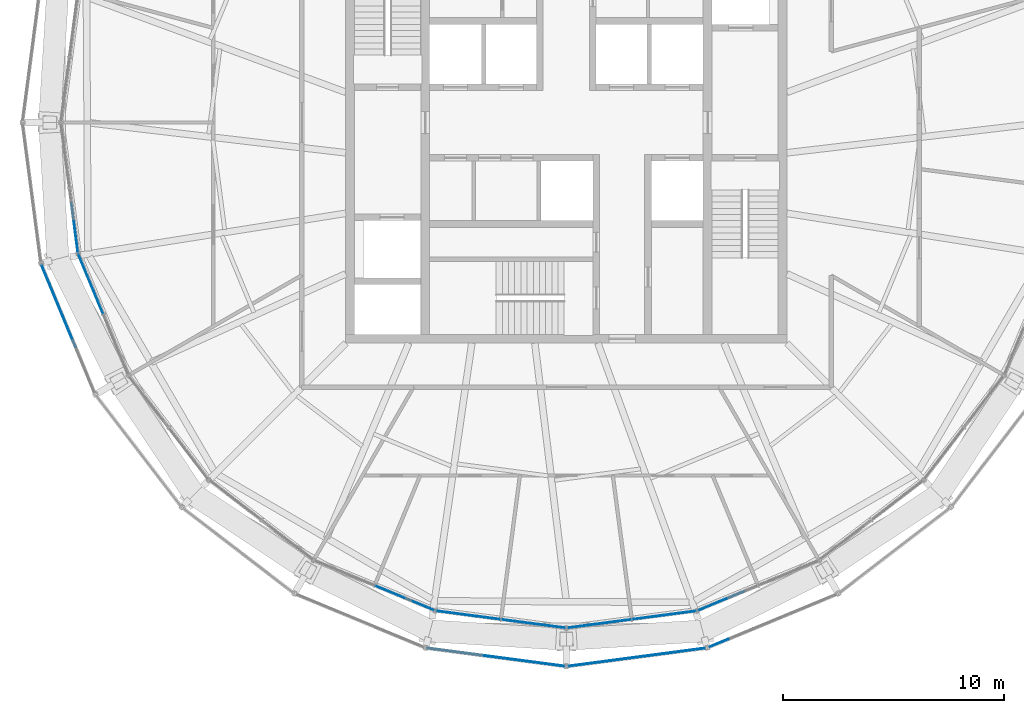
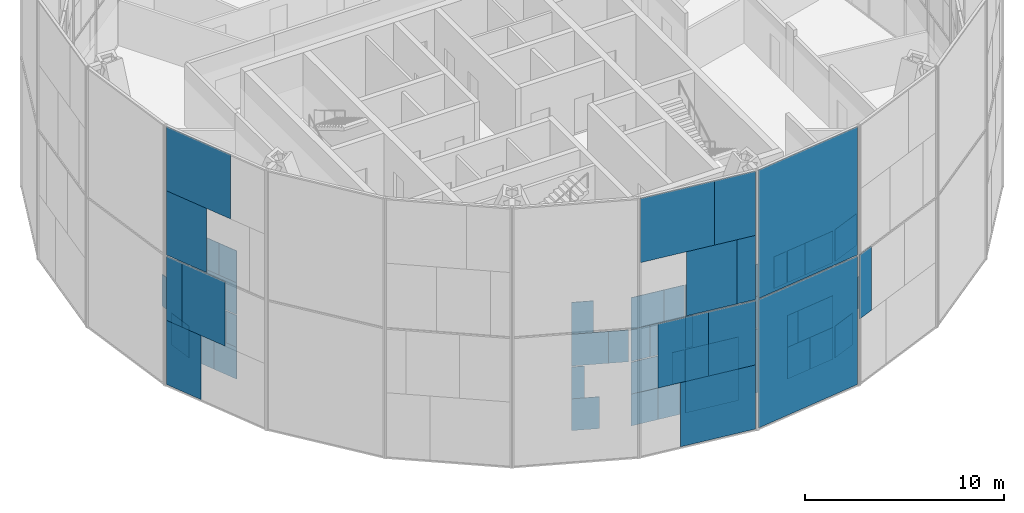
# One storey, part 11 of 23: 61 plates, 10 elements without a shape of their own.
"""IFC4 building model written with IfcOpenShell, lengths in metres."""

from ifc_helpers import new_model, si_unit, direction, frame, origin, origin_2d, place, context, subcontext, project, spatial, rectangle, extrude, material, layer, layer_set, type_object, element, aggregate, save


model = new_model("IFC4")

# Units and contexts
model_context = context("Model", 3, precision=1e-05, world=origin(), true_north=direction((0.0, 1.0)))
body_context = subcontext(model_context, "Body", "Model", "MODEL_VIEW")
ifc_project = project(units=[si_unit("LENGTHUNIT", "METRE"), si_unit("AREAUNIT", "SQUARE_METRE"), si_unit("VOLUMEUNIT", "CUBIC_METRE"), si_unit("PLANEANGLEUNIT", "RADIAN"), si_unit("MASSUNIT", "GRAM", prefix="KILO")], contexts=[model_context])

# Site, building, storey
site_placement = place(None, origin())
site = spatial("IfcSite", under=ifc_project, at=site_placement, CompositionType="ELEMENT")
building_placement = place(site_placement, origin())
building = spatial("IfcBuilding", under=site, at=building_placement, Name="Golbaran Civic Tower", CompositionType="ELEMENT")
storey_placement = place(building_placement, frame((0.0, 0.0, 232.0)))
storey = spatial("IfcBuildingStorey", under=building, at=storey_placement, Name="L56", CompositionType="ELEMENT", Elevation=232.0)

# Curtain wall, plate
ifc_material_1 = material(Name="Aluminium and glass", Category="aluminium")
curtain_wall_type_1 = type_object("IfcCurtainWallType", Name="INNER SKIN CURTAIN WALL EXECUTIVE", PredefinedType="NOTDEFINED", material=ifc_material_1)
curtain_wall_1_placement = place(storey_placement, origin())
curtain_wall_1 = element("IfcCurtainWall", 1, at=curtain_wall_1_placement, inside=storey, type_object=curtain_wall_type_1, Name="Inner skin L56 facet 13 CW2", ObjectType="INNER SKIN", PredefinedType="USERDEFINED")
ifc_material_2 = material(Name="Clear insulating glass", Category="glass")
ifc_layer_1 = layer(ifc_material_2, 0.031982421875, Name="Clear insulating glass")
ifc_layer_set_1 = layer_set([ifc_layer_1], Name="Clear insulating glass")
plate_type_1 = type_object("IfcPlateType", Name="INNER SKIN CURTAIN WALL EXECUTIVE GLAZED PANEL", PredefinedType="CURTAIN_PANEL", material=ifc_layer_set_1)
plate_1_placement = place(storey_placement, frame((-22.207763671875, -5.357421875, 4.030029296875), z_axis=(0.0, 0.0, 1.0), x_axis=(0.130526192185, -0.991444861378, 0.0)))
plate_1 = element("IfcPlate", 2, at=plate_1_placement, type_object=plate_type_1, Name="CW2 panel 2.2 part 2", PredefinedType="CURTAIN_PANEL", context=body_context, shape_type="SweptSolid", body=[
    extrude(rectangle(XDim=1.03564453125, YDim=0.031982421875, at=origin_2d()), origin(), (0.0, 0.0, 1.0), 1.955078125),
])

# Curtain wall, plates
curtain_wall_2_placement = place(storey_placement, origin())
curtain_wall_2 = element("IfcCurtainWall", 3, at=curtain_wall_2_placement, inside=storey, type_object=curtain_wall_type_1, Name="Inner skin L56 facet 14 CW2", ObjectType="INNER SKIN", PredefinedType="USERDEFINED")
plate_2_placement = place(storey_placement, frame((-21.271484375, -8.008544921875, 0.06005859375), z_axis=(0.0, 0.0, 1.0), x_axis=(0.382683432365, -0.923879532511, 0.0)))
plate_2 = element("IfcPlate", 4, at=plate_2_placement, type_object=plate_type_1, Name="CW2 panel 1.1 part 2", PredefinedType="CURTAIN_PANEL", context=body_context, shape_type="SweptSolid", body=[
    extrude(rectangle(XDim=1.4228515625, YDim=0.031982421875, at=origin_2d()), origin(), (0.0, 0.0, 1.0), 1.955078125),
])
plate_3_placement = place(storey_placement, frame((-21.127197265625, -8.356689453125, 2.014892578125), z_axis=(0.0, 0.0, 1.0), x_axis=(0.382683432365, -0.923879532511, 0.0)))
plate_3 = element("IfcPlate", 5, at=plate_3_placement, type_object=plate_type_1, Name="CW2 panel 1.1 part 4", PredefinedType="CURTAIN_PANEL", context=body_context, shape_type="SweptSolid", body=[
    extrude(rectangle(XDim=0.668701171875, YDim=0.031982421875, at=origin_2d()), origin(), (0.0, 0.0, 1.0), 1.955078125),
])
plate_4_placement = place(storey_placement, frame((-21.911376953125, -6.4638671875, 4.030029296875), z_axis=(0.0, 0.0, 1.0), x_axis=(0.382683432365, -0.923879532511, 0.0)))
plate_4 = element("IfcPlate", 6, at=plate_4_placement, type_object=plate_type_1, Name="CW2 panel 1.2 part 1", PredefinedType="CURTAIN_PANEL", context=body_context, shape_type="SweptSolid", body=[
    extrude(rectangle(XDim=1.034912109375, YDim=0.031982421875, at=origin_2d()), origin(), (0.0, 0.0, 1.0), 1.955078125),
])
plate_5_placement = place(storey_placement, frame((-21.76708984375, -6.812255859375, 5.98486328125), z_axis=(0.0, 0.0, 1.0), x_axis=(0.382683432365, -0.923879532511, 0.0)))
plate_5 = element("IfcPlate", 7, at=plate_5_placement, type_object=plate_type_1, Name="CW2 panel 1.2 part 3", PredefinedType="CURTAIN_PANEL", context=body_context, shape_type="SweptSolid", body=[
    extrude(rectangle(XDim=1.7890625, YDim=0.031982421875, at=origin_2d()), origin(), (0.0, 0.0, 1.0), 1.955078125),
])

curtain_wall_3_placement = place(storey_placement, origin())
curtain_wall_3 = element("IfcCurtainWall", 8, at=curtain_wall_3_placement, inside=storey, type_object=curtain_wall_type_1, Name="Inner skin L56 facet 17 CW2", ObjectType="INNER SKIN", PredefinedType="USERDEFINED")
plate_6_placement = place(storey_placement, frame((-8.00830078125, -21.271484375, 0.06005859375), z_axis=(0.0, 0.0, 1.0), x_axis=(0.923879532511, -0.382683432365, 0.0)))
plate_6 = element("IfcPlate", 9, at=plate_6_placement, type_object=plate_type_1, Name="CW2 panel 2.1 part 1", PredefinedType="CURTAIN_PANEL", context=body_context, shape_type="SweptSolid", body=[
    extrude(rectangle(XDim=1.423095703125, YDim=0.031982421875, at=origin_2d()), origin(), (0.0, 0.0, 1.0), 1.955078125),
])
plate_7_placement = place(storey_placement, frame((-8.356689453125, -21.127197265625, 2.014892578125), z_axis=(0.0, 0.0, 1.0), x_axis=(0.923879532511, -0.382683432365, 0.0)))
plate_7 = element("IfcPlate", 10, at=plate_7_placement, type_object=plate_type_1, Name="CW2 panel 2.1 part 3", PredefinedType="CURTAIN_PANEL", context=body_context, shape_type="SweptSolid", body=[
    extrude(rectangle(XDim=0.6689453125, YDim=0.031982421875, at=origin_2d()), origin(), (0.0, 0.0, 1.0), 1.955078125),
])
plate_8_placement = place(storey_placement, frame((-6.464111328125, -21.9111328125, 4.030029296875), z_axis=(0.0, 0.0, 1.0), x_axis=(0.923879532511, -0.382683432365, 0.0)))
plate_8 = element("IfcPlate", 11, at=plate_8_placement, type_object=plate_type_1, Name="CW2 panel 2.2 part 2", PredefinedType="CURTAIN_PANEL", context=body_context, shape_type="SweptSolid", body=[
    extrude(rectangle(XDim=1.03564453125, YDim=0.031982421875, at=origin_2d()), origin(), (0.0, 0.0, 1.0), 1.955078125),
])

curtain_wall_4_placement = place(storey_placement, origin())
curtain_wall_4 = element("IfcCurtainWall", 12, at=curtain_wall_4_placement, inside=storey, type_object=curtain_wall_type_1, Name="Inner skin L56 facet 18 CW2", ObjectType="INNER SKIN", PredefinedType="USERDEFINED")
plate_9_placement = place(storey_placement, frame((-3.7001953125, -22.42578125, 0.06005859375), z_axis=(0.0, 0.0, 1.0), x_axis=(0.991444861378, -0.130526192185, 0.0)))
plate_9 = element("IfcPlate", 13, at=plate_9_placement, type_object=plate_type_1, Name="CW2 panel 1.1 part 2", PredefinedType="CURTAIN_PANEL", context=body_context, shape_type="SweptSolid", body=[
    extrude(rectangle(XDim=1.4228515625, YDim=0.031982421875, at=origin_2d()), origin(), (0.0, 0.0, 1.0), 1.955078125),
])
plate_10_placement = place(storey_placement, frame((-3.326416015625, -22.47509765625, 2.014892578125), z_axis=(0.0, 0.0, 1.0), x_axis=(0.991444861378, -0.130526192185, 0.0)))
plate_10 = element("IfcPlate", 14, at=plate_10_placement, type_object=plate_type_1, Name="CW2 panel 1.1 part 4", PredefinedType="CURTAIN_PANEL", context=body_context, shape_type="SweptSolid", body=[
    extrude(rectangle(XDim=0.668701171875, YDim=0.031982421875, at=origin_2d()), origin(), (0.0, 0.0, 1.0), 1.955078125),
])
plate_11_placement = place(storey_placement, frame((-5.357666015625, -22.20751953125, 4.030029296875), z_axis=(0.0, 0.0, 1.0), x_axis=(0.991444861378, -0.130526192185, 0.0)))
plate_11 = element("IfcPlate", 15, at=plate_11_placement, type_object=plate_type_1, Name="CW2 panel 1.2 part 1", PredefinedType="CURTAIN_PANEL", context=body_context, shape_type="SweptSolid", body=[
    extrude(rectangle(XDim=1.034912109375, YDim=0.031982421875, at=origin_2d()), origin(), (0.0, 0.0, 1.0), 1.955078125),
])
plate_12_placement = place(storey_placement, frame((-4.98388671875, -22.2568359375, 5.98486328125), z_axis=(0.0, 0.0, 1.0), x_axis=(0.991444861378, -0.130526192185, 0.0)))
plate_12 = element("IfcPlate", 16, at=plate_12_placement, type_object=plate_type_1, Name="CW2 panel 1.2 part 3", PredefinedType="CURTAIN_PANEL", context=body_context, shape_type="SweptSolid", body=[
    extrude(rectangle(XDim=1.7890625, YDim=0.031982421875, at=origin_2d()), origin(), (0.0, 0.0, 1.0), 1.955078125),
])
plate_13_placement = place(storey_placement, frame((-1.49755859375, -22.7158203125, 0.06005859375), z_axis=(0.0, 0.0, 1.0), x_axis=(0.991444861378, -0.130526192185, 0.0)))
plate_13 = element("IfcPlate", 17, at=plate_13_placement, type_object=plate_type_1, Name="CW2 panel 2.1", PredefinedType="CURTAIN_PANEL", context=body_context, shape_type="SweptSolid", body=[
    extrude(rectangle(XDim=2.900634765625, YDim=0.031982421875, at=origin_2d()), origin(), (0.0, 0.0, 1.0), 3.909912109375),
])
plate_14_placement = place(storey_placement, frame((-1.299072265625, -22.741943359375, 4.030029296875), z_axis=(0.0, 0.0, 1.0), x_axis=(0.991444861378, -0.130526192185, 0.0)))
plate_14 = element("IfcPlate", 18, at=plate_14_placement, type_object=plate_type_1, Name="CW2 panel 2.2 part 2", PredefinedType="CURTAIN_PANEL", context=body_context, shape_type="SweptSolid", body=[
    extrude(rectangle(XDim=2.500732421875, YDim=0.031982421875, at=origin_2d()), origin(), (0.0, 0.0, 1.0), 1.955078125),
])
plate_15_placement = place(storey_placement, frame((-1.099853515625, -22.768310546875, 5.98486328125), z_axis=(0.0, 0.0, 1.0), x_axis=(0.991444861378, -0.130526192185, 0.0)))
plate_15 = element("IfcPlate", 19, at=plate_15_placement, type_object=plate_type_1, Name="CW2 panel 2.2 part 4", PredefinedType="CURTAIN_PANEL", context=body_context, shape_type="SweptSolid", body=[
    extrude(rectangle(XDim=2.0986328125, YDim=0.031982421875, at=origin_2d()), origin(), (0.0, 0.0, 1.0), 1.955078125),
])

curtain_wall_5_placement = place(storey_placement, origin())
curtain_wall_5 = element("IfcCurtainWall", 20, at=curtain_wall_5_placement, inside=storey, type_object=curtain_wall_type_1, Name="Inner skin L56 facet 19 CW2", ObjectType="INNER SKIN", PredefinedType="USERDEFINED")
plate_16_placement = place(storey_placement, frame((1.49755859375, -22.7158203125, 0.06005859375), z_axis=(0.0, 0.0, 1.0), x_axis=(0.991444861378, 0.130526192185, 0.0)))
plate_16 = element("IfcPlate", 21, at=plate_16_placement, type_object=plate_type_1, Name="CW2 panel 1.1", PredefinedType="CURTAIN_PANEL", context=body_context, shape_type="SweptSolid", body=[
    extrude(rectangle(XDim=2.900634765625, YDim=0.031982421875, at=origin_2d()), origin(), (0.0, 0.0, 1.0), 3.909912109375),
])
plate_17_placement = place(storey_placement, frame((1.29833984375, -22.7421875, 4.030029296875), z_axis=(0.0, 0.0, 1.0), x_axis=(0.991444861378, 0.130526192185, 0.0)))
plate_17 = element("IfcPlate", 22, at=plate_17_placement, type_object=plate_type_1, Name="CW2 panel 1.2 part 1", PredefinedType="CURTAIN_PANEL", context=body_context, shape_type="SweptSolid", body=[
    extrude(rectangle(XDim=2.4990234375, YDim=0.031982421875, at=origin_2d()), origin(), (0.0, 0.0, 1.0), 1.955078125),
])
plate_18_placement = place(storey_placement, frame((1.099609375, -22.768310546875, 5.98486328125), z_axis=(0.0, 0.0, 1.0), x_axis=(0.991444861378, 0.130526192185, 0.0)))
plate_18 = element("IfcPlate", 23, at=plate_18_placement, type_object=plate_type_1, Name="CW2 panel 1.2 part 3", PredefinedType="CURTAIN_PANEL", context=body_context, shape_type="SweptSolid", body=[
    extrude(rectangle(XDim=2.097900390625, YDim=0.031982421875, at=origin_2d()), origin(), (0.0, 0.0, 1.0), 1.955078125),
])
plate_19_placement = place(storey_placement, frame((3.7001953125, -22.42578125, 0.06005859375), z_axis=(0.0, 0.0, 1.0), x_axis=(0.991444861378, 0.130526192185, 0.0)))
plate_19 = element("IfcPlate", 24, at=plate_19_placement, type_object=plate_type_1, Name="CW2 panel 2.1 part 1", PredefinedType="CURTAIN_PANEL", context=body_context, shape_type="SweptSolid", body=[
    extrude(rectangle(XDim=1.423095703125, YDim=0.031982421875, at=origin_2d()), origin(), (0.0, 0.0, 1.0), 1.955078125),
])
plate_20_placement = place(storey_placement, frame((3.32666015625, -22.47509765625, 2.014892578125), z_axis=(0.0, 0.0, 1.0), x_axis=(0.991444861378, 0.130526192185, 0.0)))
plate_20 = element("IfcPlate", 25, at=plate_20_placement, type_object=plate_type_1, Name="CW2 panel 2.1 part 3", PredefinedType="CURTAIN_PANEL", context=body_context, shape_type="SweptSolid", body=[
    extrude(rectangle(XDim=0.6689453125, YDim=0.031982421875, at=origin_2d()), origin(), (0.0, 0.0, 1.0), 1.955078125),
])
plate_21_placement = place(storey_placement, frame((5.357421875, -22.207763671875, 4.030029296875), z_axis=(0.0, 0.0, 1.0), x_axis=(0.991444861378, 0.130526192185, 0.0)))
plate_21 = element("IfcPlate", 26, at=plate_21_placement, type_object=plate_type_1, Name="CW2 panel 2.2 part 2", PredefinedType="CURTAIN_PANEL", context=body_context, shape_type="SweptSolid", body=[
    extrude(rectangle(XDim=1.03564453125, YDim=0.031982421875, at=origin_2d()), origin(), (0.0, 0.0, 1.0), 1.955078125),
])
plate_22_placement = place(storey_placement, frame((4.983642578125, -22.2568359375, 5.98486328125), z_axis=(0.0, 0.0, 1.0), x_axis=(0.991444861378, 0.130526192185, 0.0)))
plate_22 = element("IfcPlate", 27, at=plate_22_placement, type_object=plate_type_1, Name="CW2 panel 2.2 part 4", PredefinedType="CURTAIN_PANEL", context=body_context, shape_type="SweptSolid", body=[
    extrude(rectangle(XDim=1.789794921875, YDim=0.031982421875, at=origin_2d()), origin(), (0.0, 0.0, 1.0), 1.955078125),
])

curtain_wall_6_placement = place(storey_placement, origin())
curtain_wall_6 = element("IfcCurtainWall", 28, at=curtain_wall_6_placement, inside=storey, type_object=curtain_wall_type_1, Name="Inner skin L56 facet 20 CW2", ObjectType="INNER SKIN", PredefinedType="USERDEFINED")
plate_23_placement = place(storey_placement, frame((6.4638671875, -21.911376953125, 4.030029296875), z_axis=(0.0, 0.0, 1.0), x_axis=(0.923879532511, 0.382683432365, 0.0)))
plate_23 = element("IfcPlate", 29, at=plate_23_placement, type_object=plate_type_1, Name="CW2 panel 1.2 part 1", PredefinedType="CURTAIN_PANEL", context=body_context, shape_type="SweptSolid", body=[
    extrude(rectangle(XDim=1.034912109375, YDim=0.031982421875, at=origin_2d()), origin(), (0.0, 0.0, 1.0), 1.955078125),
])
plate_24_placement = place(storey_placement, frame((6.812255859375, -21.76708984375, 5.98486328125), z_axis=(0.0, 0.0, 1.0), x_axis=(0.923879532511, 0.382683432365, 0.0)))
plate_24 = element("IfcPlate", 30, at=plate_24_placement, type_object=plate_type_1, Name="CW2 panel 1.2 part 3", PredefinedType="CURTAIN_PANEL", context=body_context, shape_type="SweptSolid", body=[
    extrude(rectangle(XDim=1.7890625, YDim=0.031982421875, at=origin_2d()), origin(), (0.0, 0.0, 1.0), 1.955078125),
])

# Plate
ifc_material_3 = material(Name="Aluminium faced opaque infill panel", Category="aluminium")
ifc_layer_2 = layer(ifc_material_3, 0.031982421875, Name="Aluminium faced opaque infill panel")
ifc_layer_set_2 = layer_set([ifc_layer_2], Name="Aluminium faced opaque infill panel")
plate_type_2 = type_object("IfcPlateType", Name="INNER SKIN CURTAIN WALL EXECUTIVE OPAQUE INFILL PANEL", PredefinedType="CURTAIN_PANEL", material=ifc_layer_set_2)
plate_25_placement = place(storey_placement, frame((-22.236572265625, -5.13818359375, 0.06005859375), z_axis=(0.0, 0.0, 1.0), x_axis=(0.130526192185, -0.991444861378, 0.0)))
plate_25 = element("IfcPlate", 31, at=plate_25_placement, type_object=plate_type_2, Name="CW2 infill panel 2.1 part 2", PredefinedType="CURTAIN_PANEL", context=body_context, shape_type="SweptSolid", body=[
    extrude(rectangle(XDim=1.477783203125, YDim=0.031982421875, at=origin_2d()), origin(), (0.0, 0.0, 1.0), 1.955078125),
])

plate_26_placement = place(storey_placement, frame((-22.28564453125, -4.764404296875, 2.014892578125), z_axis=(0.0, 0.0, 1.0), x_axis=(0.130526192185, -0.991444861378, 0.0)))
plate_26 = element("IfcPlate", 32, at=plate_26_placement, type_object=plate_type_2, Name="CW2 infill panel 2.1 part 4", PredefinedType="CURTAIN_PANEL", context=body_context, shape_type="SweptSolid", body=[
    extrude(rectangle(XDim=2.231689453125, YDim=0.031982421875, at=origin_2d()), origin(), (0.0, 0.0, 1.0), 1.955078125),
])

aggregate(curtain_wall_1, [plate_25, plate_26, plate_1])

plate_27_placement = place(storey_placement, frame((-21.826416015625, -6.66845703125, 0.06005859375), z_axis=(0.0, 0.0, 1.0), x_axis=(0.382683432365, -0.923879532511, 0.0)))
plate_27 = element("IfcPlate", 33, at=plate_27_placement, type_object=plate_type_2, Name="CW2 infill panel 1.1 part 1", PredefinedType="CURTAIN_PANEL", context=body_context, shape_type="SweptSolid", body=[
    extrude(rectangle(XDim=1.47802734375, YDim=0.031982421875, at=origin_2d()), origin(), (0.0, 0.0, 1.0), 1.955078125),
])

plate_28_placement = place(storey_placement, frame((-21.68212890625, -7.016845703125, 2.014892578125), z_axis=(0.0, 0.0, 1.0), x_axis=(0.382683432365, -0.923879532511, 0.0)))
plate_28 = element("IfcPlate", 34, at=plate_28_placement, type_object=plate_type_2, Name="CW2 infill panel 1.1 part 3", PredefinedType="CURTAIN_PANEL", context=body_context, shape_type="SweptSolid", body=[
    extrude(rectangle(XDim=2.23193359375, YDim=0.031982421875, at=origin_2d()), origin(), (0.0, 0.0, 1.0), 1.955078125),
])

plate_29_placement = place(storey_placement, frame((-21.356201171875, -7.8037109375, 4.030029296875), z_axis=(0.0, 0.0, 1.0), x_axis=(0.382683432365, -0.923879532511, 0.0)))
plate_29 = element("IfcPlate", 35, at=plate_29_placement, type_object=plate_type_2, Name="CW2 infill panel 1.2 part 2", PredefinedType="CURTAIN_PANEL", context=body_context, shape_type="SweptSolid", body=[
    extrude(rectangle(XDim=1.86572265625, YDim=0.031982421875, at=origin_2d()), origin(), (0.0, 0.0, 1.0), 1.955078125),
])

plate_30_placement = place(storey_placement, frame((-21.2119140625, -8.152099609375, 5.98486328125), z_axis=(0.0, 0.0, 1.0), x_axis=(0.382683432365, -0.923879532511, 0.0)))
plate_30 = element("IfcPlate", 36, at=plate_30_placement, type_object=plate_type_2, Name="CW2 infill panel 1.2 part 4", PredefinedType="CURTAIN_PANEL", context=body_context, shape_type="SweptSolid", body=[
    extrude(rectangle(XDim=1.11181640625, YDim=0.031982421875, at=origin_2d()), origin(), (0.0, 0.0, 1.0), 1.955078125),
])

aggregate(curtain_wall_2, [plate_27, plate_2, plate_28, plate_3, plate_4, plate_29, plate_5, plate_30])

plate_31_placement = place(storey_placement, frame((-7.80419921875, -21.356201171875, 4.030029296875), z_axis=(0.0, 0.0, 1.0), x_axis=(0.923879532511, -0.382683432365, 0.0)))
plate_31 = element("IfcPlate", 37, at=plate_31_placement, type_object=plate_type_2, Name="CW2 infill panel 2.2 part 1", PredefinedType="CURTAIN_PANEL", context=body_context, shape_type="SweptSolid", body=[
    extrude(rectangle(XDim=1.864990234375, YDim=0.031982421875, at=origin_2d()), origin(), (0.0, 0.0, 1.0), 1.955078125),
])

plate_32_placement = place(storey_placement, frame((-8.152587890625, -21.2119140625, 5.98486328125), z_axis=(0.0, 0.0, 1.0), x_axis=(0.923879532511, -0.382683432365, 0.0)))
plate_32 = element("IfcPlate", 38, at=plate_32_placement, type_object=plate_type_2, Name="CW2 infill panel 2.2 part 3", PredefinedType="CURTAIN_PANEL", context=body_context, shape_type="SweptSolid", body=[
    extrude(rectangle(XDim=1.111083984375, YDim=0.031982421875, at=origin_2d()), origin(), (0.0, 0.0, 1.0), 1.955078125),
])

aggregate(curtain_wall_3, [plate_6, plate_7, plate_31, plate_8, plate_32])

plate_33_placement = place(storey_placement, frame((-5.13818359375, -22.236572265625, 0.06005859375), z_axis=(0.0, 0.0, 1.0), x_axis=(0.991444861378, -0.130526192185, 0.0)))
plate_33 = element("IfcPlate", 39, at=plate_33_placement, type_object=plate_type_2, Name="CW2 infill panel 1.1 part 1", PredefinedType="CURTAIN_PANEL", context=body_context, shape_type="SweptSolid", body=[
    extrude(rectangle(XDim=1.47802734375, YDim=0.031982421875, at=origin_2d()), origin(), (0.0, 0.0, 1.0), 1.955078125),
])

plate_34_placement = place(storey_placement, frame((-4.764404296875, -22.28564453125, 2.014892578125), z_axis=(0.0, 0.0, 1.0), x_axis=(0.991444861378, -0.130526192185, 0.0)))
plate_34 = element("IfcPlate", 40, at=plate_34_placement, type_object=plate_type_2, Name="CW2 infill panel 1.1 part 3", PredefinedType="CURTAIN_PANEL", context=body_context, shape_type="SweptSolid", body=[
    extrude(rectangle(XDim=2.23193359375, YDim=0.031982421875, at=origin_2d()), origin(), (0.0, 0.0, 1.0), 1.955078125),
])

plate_35_placement = place(storey_placement, frame((-3.919677734375, -22.39697265625, 4.030029296875), z_axis=(0.0, 0.0, 1.0), x_axis=(0.991444861378, -0.130526192185, 0.0)))
plate_35 = element("IfcPlate", 41, at=plate_35_placement, type_object=plate_type_2, Name="CW2 infill panel 1.2 part 2", PredefinedType="CURTAIN_PANEL", context=body_context, shape_type="SweptSolid", body=[
    extrude(rectangle(XDim=1.86572265625, YDim=0.031982421875, at=origin_2d()), origin(), (0.0, 0.0, 1.0), 1.955078125),
])

plate_36_placement = place(storey_placement, frame((-3.546142578125, -22.446044921875, 5.98486328125), z_axis=(0.0, 0.0, 1.0), x_axis=(0.991444861378, -0.130526192185, 0.0)))
plate_36 = element("IfcPlate", 42, at=plate_36_placement, type_object=plate_type_2, Name="CW2 infill panel 1.2 part 4", PredefinedType="CURTAIN_PANEL", context=body_context, shape_type="SweptSolid", body=[
    extrude(rectangle(XDim=1.11181640625, YDim=0.031982421875, at=origin_2d()), origin(), (0.0, 0.0, 1.0), 1.955078125),
])

plate_37_placement = place(storey_placement, frame((-2.737060546875, -22.552734375, 4.030029296875), z_axis=(0.0, 0.0, 1.0), x_axis=(0.991444861378, -0.130526192185, 0.0)))
plate_37 = element("IfcPlate", 43, at=plate_37_placement, type_object=plate_type_2, Name="CW2 infill panel 2.2 part 1", PredefinedType="CURTAIN_PANEL", context=body_context, shape_type="SweptSolid", body=[
    extrude(rectangle(XDim=0.39990234375, YDim=0.031982421875, at=origin_2d()), origin(), (0.0, 0.0, 1.0), 1.955078125),
])

plate_38_placement = place(storey_placement, frame((-2.537841796875, -22.578857421875, 5.98486328125), z_axis=(0.0, 0.0, 1.0), x_axis=(0.991444861378, -0.130526192185, 0.0)))
plate_38 = element("IfcPlate", 44, at=plate_38_placement, type_object=plate_type_2, Name="CW2 infill panel 2.2 part 3", PredefinedType="CURTAIN_PANEL", context=body_context, shape_type="SweptSolid", body=[
    extrude(rectangle(XDim=0.802001953125, YDim=0.031982421875, at=origin_2d()), origin(), (0.0, 0.0, 1.0), 1.955078125),
])

aggregate(curtain_wall_4, [plate_33, plate_9, plate_34, plate_10, plate_11, plate_35, plate_12, plate_36, plate_13, plate_37, plate_14, plate_38, plate_15])

plate_39_placement = place(storey_placement, frame((2.736328125, -22.552734375, 4.030029296875), z_axis=(0.0, 0.0, 1.0), x_axis=(0.991444861378, 0.130526192185, 0.0)))
plate_39 = element("IfcPlate", 45, at=plate_39_placement, type_object=plate_type_2, Name="CW2 infill panel 1.2 part 2", PredefinedType="CURTAIN_PANEL", context=body_context, shape_type="SweptSolid", body=[
    extrude(rectangle(XDim=0.40185546875, YDim=0.031982421875, at=origin_2d()), origin(), (0.0, 0.0, 1.0), 1.955078125),
])

plate_40_placement = place(storey_placement, frame((2.53759765625, -22.578857421875, 5.98486328125), z_axis=(0.0, 0.0, 1.0), x_axis=(0.991444861378, 0.130526192185, 0.0)))
plate_40 = element("IfcPlate", 46, at=plate_40_placement, type_object=plate_type_2, Name="CW2 infill panel 1.2 part 4", PredefinedType="CURTAIN_PANEL", context=body_context, shape_type="SweptSolid", body=[
    extrude(rectangle(XDim=0.802734375, YDim=0.031982421875, at=origin_2d()), origin(), (0.0, 0.0, 1.0), 1.955078125),
])

plate_41_placement = place(storey_placement, frame((5.13818359375, -22.236572265625, 0.06005859375), z_axis=(0.0, 0.0, 1.0), x_axis=(0.991444861378, 0.130526192185, 0.0)))
plate_41 = element("IfcPlate", 47, at=plate_41_placement, type_object=plate_type_2, Name="CW2 infill panel 2.1 part 2", PredefinedType="CURTAIN_PANEL", context=body_context, shape_type="SweptSolid", body=[
    extrude(rectangle(XDim=1.477783203125, YDim=0.031982421875, at=origin_2d()), origin(), (0.0, 0.0, 1.0), 1.955078125),
])

plate_42_placement = place(storey_placement, frame((4.764404296875, -22.28564453125, 2.014892578125), z_axis=(0.0, 0.0, 1.0), x_axis=(0.991444861378, 0.130526192185, 0.0)))
plate_42 = element("IfcPlate", 48, at=plate_42_placement, type_object=plate_type_2, Name="CW2 infill panel 2.1 part 4", PredefinedType="CURTAIN_PANEL", context=body_context, shape_type="SweptSolid", body=[
    extrude(rectangle(XDim=2.231689453125, YDim=0.031982421875, at=origin_2d()), origin(), (0.0, 0.0, 1.0), 1.955078125),
])

plate_43_placement = place(storey_placement, frame((3.91943359375, -22.39697265625, 4.030029296875), z_axis=(0.0, 0.0, 1.0), x_axis=(0.991444861378, 0.130526192185, 0.0)))
plate_43 = element("IfcPlate", 49, at=plate_43_placement, type_object=plate_type_2, Name="CW2 infill panel 2.2 part 1", PredefinedType="CURTAIN_PANEL", context=body_context, shape_type="SweptSolid", body=[
    extrude(rectangle(XDim=1.864990234375, YDim=0.031982421875, at=origin_2d()), origin(), (0.0, 0.0, 1.0), 1.955078125),
])

plate_44_placement = place(storey_placement, frame((3.545654296875, -22.4462890625, 5.98486328125), z_axis=(0.0, 0.0, 1.0), x_axis=(0.991444861378, 0.130526192185, 0.0)))
plate_44 = element("IfcPlate", 50, at=plate_44_placement, type_object=plate_type_2, Name="CW2 infill panel 2.2 part 3", PredefinedType="CURTAIN_PANEL", context=body_context, shape_type="SweptSolid", body=[
    extrude(rectangle(XDim=1.111083984375, YDim=0.031982421875, at=origin_2d()), origin(), (0.0, 0.0, 1.0), 1.955078125),
])

aggregate(curtain_wall_5, [plate_16, plate_17, plate_39, plate_18, plate_40, plate_19, plate_41, plate_20, plate_42, plate_43, plate_21, plate_44, plate_22])

plate_45_placement = place(storey_placement, frame((6.66845703125, -21.826416015625, 0.06005859375), z_axis=(0.0, 0.0, 1.0), x_axis=(0.923879532511, 0.382683432365, 0.0)))
plate_45 = element("IfcPlate", 51, at=plate_45_placement, type_object=plate_type_2, Name="CW2 infill panel 1.1 part 1", PredefinedType="CURTAIN_PANEL", context=body_context, shape_type="SweptSolid", body=[
    extrude(rectangle(XDim=1.47802734375, YDim=0.031982421875, at=origin_2d()), origin(), (0.0, 0.0, 1.0), 1.955078125),
])

plate_46_placement = place(storey_placement, frame((7.016845703125, -21.68212890625, 2.014892578125), z_axis=(0.0, 0.0, 1.0), x_axis=(0.923879532511, 0.382683432365, 0.0)))
plate_46 = element("IfcPlate", 52, at=plate_46_placement, type_object=plate_type_2, Name="CW2 infill panel 1.1 part 3", PredefinedType="CURTAIN_PANEL", context=body_context, shape_type="SweptSolid", body=[
    extrude(rectangle(XDim=2.23193359375, YDim=0.031982421875, at=origin_2d()), origin(), (0.0, 0.0, 1.0), 1.955078125),
])

aggregate(curtain_wall_6, [plate_45, plate_46, plate_23, plate_24])

# Curtain wall, plates
curtain_wall_type_2 = type_object("IfcCurtainWallType", Name="OUTER SKIN TERRACOTTA SCREEN", PredefinedType="NOTDEFINED", material=ifc_material_1)
curtain_wall_7_placement = place(storey_placement, origin())
curtain_wall_7 = element("IfcCurtainWall", 53, at=curtain_wall_7_placement, inside=storey, type_object=curtain_wall_type_2, Name="Outer skin L56 facet 14 CW3", ObjectType="OUTER SKIN", PredefinedType="USERDEFINED")
ifc_material_4 = material(Name="Clear laminated glass", Category="glass")
ifc_layer_3 = layer(ifc_material_4, 0.0400390625, Name="Clear laminated glass")
ifc_layer_set_3 = layer_set([ifc_layer_3], Name="Clear laminated glass")
plate_type_3 = type_object("IfcPlateType", Name="OUTER SKIN CLEAR GLASS PANEL", PredefinedType="CURTAIN_PANEL", material=ifc_layer_set_3)
plate_47_placement = place(storey_placement, frame((-23.599609375, -6.90087890625, 3.31005859375), z_axis=(0.0, 0.0, 1.0), x_axis=(0.382683432381, -0.923879532505, 0.0)))
plate_47 = element("IfcPlate", 54, at=plate_47_placement, type_object=plate_type_3, Name="CW3 panel 1.1 part 3", PredefinedType="CURTAIN_PANEL", context=body_context, shape_type="SweptSolid", body=[
    extrude(rectangle(XDim=0.965087890625, YDim=0.0400390625, at=origin_2d()), origin(), (0.0, 0.0, 1.0), 3.93994140625),
])
plate_48_placement = place(storey_placement, frame((-23.302978515625, -7.616943359375, 7.330078125), z_axis=(0.0, 0.0, 1.0), x_axis=(0.382683432381, -0.923879532505, 0.0)))
plate_48 = element("IfcPlate", 55, at=plate_48_placement, type_object=plate_type_3, Name="CW3 panel 1.2 part 1", PredefinedType="CURTAIN_PANEL", context=body_context, shape_type="SweptSolid", body=[
    extrude(rectangle(XDim=2.514892578125, YDim=0.0400390625, at=origin_2d()), origin(), (0.0, 0.0, 1.0), 3.93994140625),
])
plate_49_placement = place(storey_placement, frame((-23.01123046875, -8.3212890625, 11.27001953125), z_axis=(0.0, 0.0, 1.0), x_axis=(0.382683432381, -0.923879532505, 0.0)))
plate_49 = element("IfcPlate", 56, at=plate_49_placement, type_object=plate_type_3, Name="CW3 panel 1.2 part 4", PredefinedType="CURTAIN_PANEL", context=body_context, shape_type="SweptSolid", body=[
    extrude(rectangle(XDim=4.0400390625, YDim=0.0400390625, at=origin_2d()), origin(), (0.0, 0.0, 1.0), 3.93994140625),
])

curtain_wall_8_placement = place(storey_placement, origin())
curtain_wall_8 = element("IfcCurtainWall", 57, at=curtain_wall_8_placement, inside=storey, type_object=curtain_wall_type_2, Name="Outer skin L56 facet 18 CW3", ObjectType="OUTER SKIN", PredefinedType="USERDEFINED")
plate_50_placement = place(storey_placement, frame((-2.107421875, -24.37744140625, -0.6298828125), z_axis=(0.0, 0.0, 1.0), x_axis=(0.991444861372, -0.130526192237, 0.0)))
plate_50 = element("IfcPlate", 58, at=plate_50_placement, type_object=plate_type_3, Name="CW3 panel 1.1 part 2", PredefinedType="CURTAIN_PANEL", context=body_context, shape_type="SweptSolid", body=[
    extrude(rectangle(XDim=4.09130859375, YDim=0.0400390625, at=origin_2d()), origin(), (0.0, 0.0, 1.0), 3.93994140625),
])
plate_51_placement = place(storey_placement, frame((-1.3544921875, -24.476806640625, 3.31005859375), z_axis=(0.0, 0.0, 1.0), x_axis=(0.991444861372, -0.130526192237, 0.0)))
plate_51 = element("IfcPlate", 59, at=plate_51_placement, type_object=plate_type_3, Name="CW3 panel 1.1 part 5", PredefinedType="CURTAIN_PANEL", context=body_context, shape_type="SweptSolid", body=[
    extrude(rectangle(XDim=2.572265625, YDim=0.0400390625, at=origin_2d()), origin(), (0.0, 0.0, 1.0), 3.93994140625),
])
plate_52_placement = place(storey_placement, frame((-0.58544921875, -24.577880859375, 7.330078125), z_axis=(0.0, 0.0, 1.0), x_axis=(0.991444861372, -0.130526192237, 0.0)))
plate_52 = element("IfcPlate", 60, at=plate_52_placement, type_object=plate_type_3, Name="CW3 panel 1.2 part 3", PredefinedType="CURTAIN_PANEL", context=body_context, shape_type="SweptSolid", body=[
    extrude(rectangle(XDim=1.021240234375, YDim=0.0400390625, at=origin_2d()), origin(), (0.0, 0.0, 1.0), 3.93994140625),
])
plate_53_placement = place(storey_placement, frame((-4.299072265625, -24.089111328125, 11.27001953125), z_axis=(0.0, 0.0, 1.0), x_axis=(0.991444861372, -0.130526192237, 0.0)))
plate_53 = element("IfcPlate", 61, at=plate_53_placement, type_object=plate_type_3, Name="CW3 panel 1.2 part 4", PredefinedType="CURTAIN_PANEL", context=body_context, shape_type="SweptSolid", body=[
    extrude(rectangle(XDim=4.0400390625, YDim=0.0400390625, at=origin_2d()), origin(), (0.0, 0.0, 1.0), 3.93994140625),
])

# Curtain wall, plate
curtain_wall_9_placement = place(storey_placement, origin())
curtain_wall_9 = element("IfcCurtainWall", 62, at=curtain_wall_9_placement, inside=storey, type_object=curtain_wall_type_2, Name="Outer skin L56 facet 20 CW3", ObjectType="OUTER SKIN", PredefinedType="USERDEFINED")
plate_54_placement = place(storey_placement, frame((6.90087890625, -23.599609375, 3.31005859375), z_axis=(0.0, 0.0, 1.0), x_axis=(0.923879532505, 0.382683432381, 0.0)))
plate_54 = element("IfcPlate", 63, at=plate_54_placement, type_object=plate_type_3, Name="CW3 panel 1.1 part 3", PredefinedType="CURTAIN_PANEL", context=body_context, shape_type="SweptSolid", body=[
    extrude(rectangle(XDim=0.965087890625, YDim=0.0400390625, at=origin_2d()), origin(), (0.0, 0.0, 1.0), 3.93994140625),
])
aggregate(curtain_wall_9, [plate_54])

# Plate
ifc_material_5 = material(Name="Terracotta baguette screen", Category="masonry")
ifc_layer_4 = layer(ifc_material_5, 0.0400390625, Name="Terracotta baguette screen")
ifc_layer_set_4 = layer_set([ifc_layer_4], Name="Terracotta baguette screen")
plate_type_4 = type_object("IfcPlateType", Name="OUTER SKIN TERRACOTTA INFILL PANEL", PredefinedType="CURTAIN_PANEL", material=ifc_layer_set_4)
plate_55_placement = place(storey_placement, frame((-23.3662109375, -7.46435546875, -0.6298828125), z_axis=(0.0, 0.0, 1.0), x_axis=(0.382683432381, -0.923879532505, 0.0)))
plate_55 = element("IfcPlate", 64, at=plate_55_placement, type_object=plate_type_4, Name="CW3 infill panel 1.1 part 1", PredefinedType="CURTAIN_PANEL", context=body_context, shape_type="SweptSolid", body=[
    extrude(rectangle(XDim=2.18505859375, YDim=0.0400390625, at=origin_2d()), origin(), (0.0, 0.0, 1.0), 3.93994140625),
])

plate_56_placement = place(storey_placement, frame((-22.890869140625, -8.61181640625, 3.31005859375), z_axis=(0.0, 0.0, 1.0), x_axis=(0.382683432381, -0.923879532505, 0.0)))
plate_56 = element("IfcPlate", 65, at=plate_56_placement, type_object=plate_type_4, Name="CW3 infill panel 1.1 part 4", PredefinedType="CURTAIN_PANEL", context=body_context, shape_type="SweptSolid", body=[
    extrude(rectangle(XDim=2.739013671875, YDim=0.0400390625, at=origin_2d()), origin(), (0.0, 0.0, 1.0), 3.93994140625),
])

aggregate(curtain_wall_7, [plate_55, plate_47, plate_56, plate_48, plate_49])

plate_57_placement = place(storey_placement, frame((-3.9873046875, -24.130126953125, 3.31005859375), z_axis=(0.0, 0.0, 1.0), x_axis=(0.991444861372, -0.130526192237, 0.0)))
plate_57 = element("IfcPlate", 66, at=plate_57_placement, type_object=plate_type_4, Name="CW3 infill panel 1.1 part 4", PredefinedType="CURTAIN_PANEL", context=body_context, shape_type="SweptSolid", body=[
    extrude(rectangle(XDim=2.739013671875, YDim=0.0400390625, at=origin_2d()), origin(), (0.0, 0.0, 1.0), 3.93994140625),
])

plate_58_placement = place(storey_placement, frame((-2.4501953125, -24.33251953125, 7.330078125), z_axis=(0.0, 0.0, 1.0), x_axis=(0.991444861372, -0.130526192237, 0.0)))
plate_58 = element("IfcPlate", 67, at=plate_58_placement, type_object=plate_type_4, Name="CW3 infill panel 1.2 part 2", PredefinedType="CURTAIN_PANEL", context=body_context, shape_type="SweptSolid", body=[
    extrude(rectangle(XDim=2.739990234375, YDim=0.0400390625, at=origin_2d()), origin(), (0.0, 0.0, 1.0), 3.93994140625),
])

plate_59_placement = place(storey_placement, frame((-1.18798828125, -24.49853515625, 11.27001953125), z_axis=(0.0, 0.0, 1.0), x_axis=(0.991444861372, -0.130526192237, 0.0)))
plate_59 = element("IfcPlate", 68, at=plate_59_placement, type_object=plate_type_4, Name="CW3 infill panel 1.2 part 5", PredefinedType="CURTAIN_PANEL", context=body_context, shape_type="SweptSolid", body=[
    extrude(rectangle(XDim=2.236328125, YDim=0.0400390625, at=origin_2d()), origin(), (0.0, 0.0, 1.0), 3.93994140625),
])

aggregate(curtain_wall_8, [plate_50, plate_57, plate_51, plate_58, plate_52, plate_53, plate_59])

# Curtain wall, plates
curtain_wall_10_placement = place(storey_placement, origin())
curtain_wall_10 = element("IfcCurtainWall", 69, at=curtain_wall_10_placement, inside=storey, type_object=curtain_wall_type_2, Name="Outer skin L56 facet 19 CW3", ObjectType="OUTER SKIN", PredefinedType="USERDEFINED")
ifc_layer_5 = layer(ifc_material_5, 0.0400390625, Name="Terracotta baguette screen")
ifc_layer_set_5 = layer_set([ifc_layer_5], Name="Terracotta baguette screen")
plate_type_5 = type_object("IfcPlateType", Name="OUTER SKIN TERRACOTTA SCREEN PANEL", PredefinedType="CURTAIN_PANEL", material=ifc_layer_set_5)
plate_60_placement = place(storey_placement, frame((3.190673828125, -24.23486328125, -0.6298828125), z_axis=(0.0, 0.0, 1.0), x_axis=(0.991444861372, 0.130526192237, 0.0)))
plate_60 = element("IfcPlate", 70, at=plate_60_placement, type_object=plate_type_5, Name="CW3 terracotta screen panel 1.1", PredefinedType="CURTAIN_PANEL", context=body_context, shape_type="SweptSolid", body=[
    extrude(rectangle(XDim=6.2763671875, YDim=0.0400390625, at=origin_2d()), origin(), (0.0, 0.0, 1.0), 7.8798828125),
])
plate_61_placement = place(storey_placement, frame((3.190673828125, -24.23486328125, 7.330078125), z_axis=(0.0, 0.0, 1.0), x_axis=(0.991444861372, 0.130526192237, 0.0)))
plate_61 = element("IfcPlate", 71, at=plate_61_placement, type_object=plate_type_5, Name="CW3 terracotta screen panel 1.2", PredefinedType="CURTAIN_PANEL", context=body_context, shape_type="SweptSolid", body=[
    extrude(rectangle(XDim=6.2763671875, YDim=0.0400390625, at=origin_2d()), origin(), (0.0, 0.0, 1.0), 7.8798828125),
])
aggregate(curtain_wall_10, [plate_60, plate_61])

save(model, "model.ifc")
